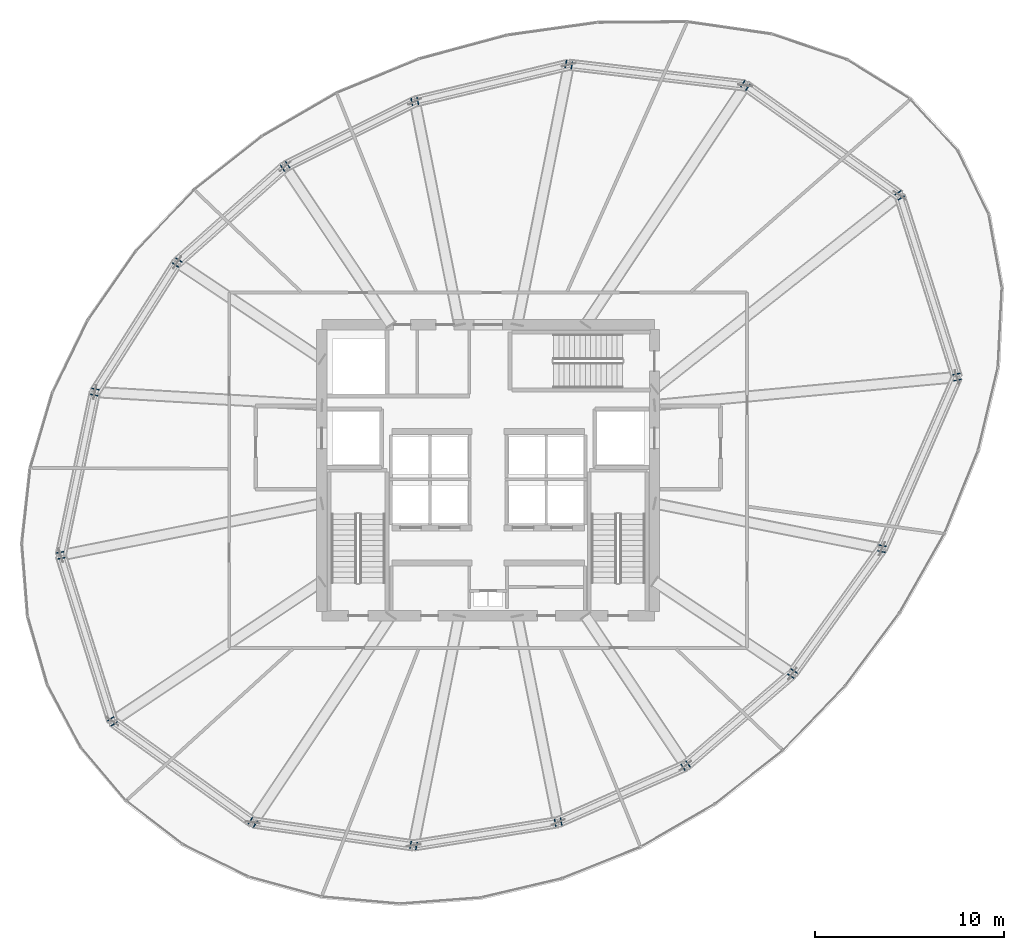
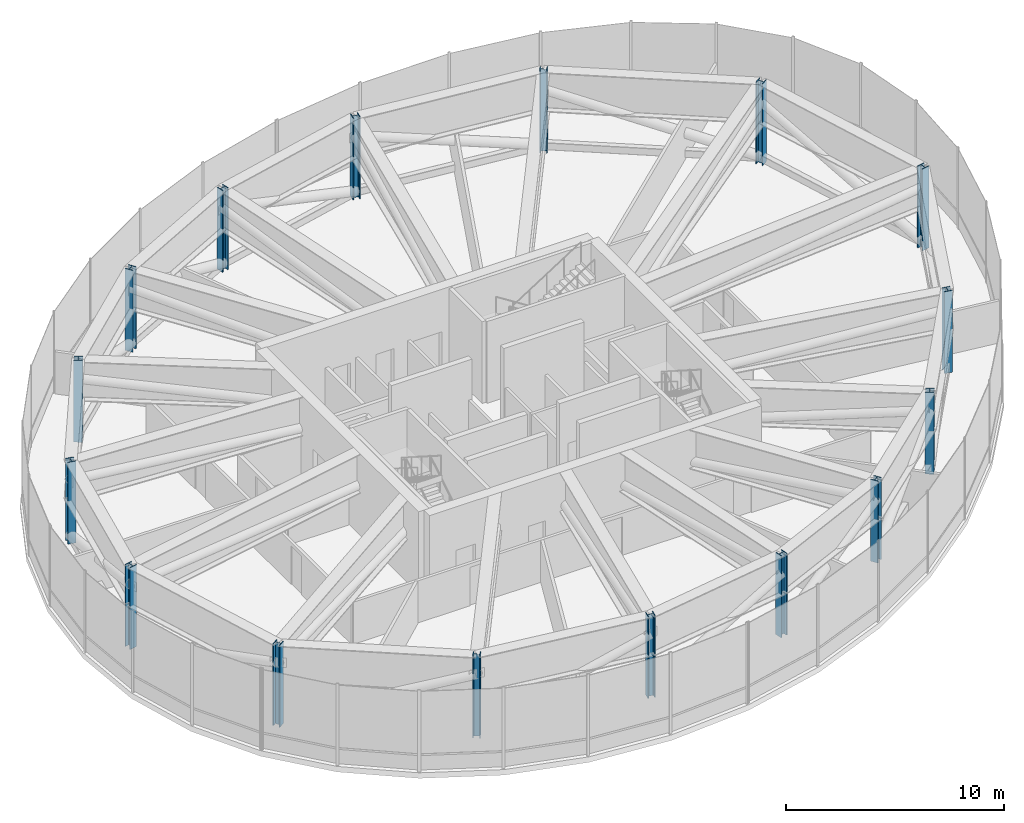
# One storey, part 1 of 30: 16 columns.
"""IFC4 building model written with IfcOpenShell, lengths in metres."""

from ifc_helpers import new_model, si_unit, direction, frame, origin, origin_2d, place, context, subcontext, project, spatial, i_section, extrude, source, transform, mapped, material, material_profile, profile_set, type_object, element, save


model = new_model("IFC4")

# Units and contexts
model_context = context("Model", 3, precision=1e-05, world=origin(), true_north=direction((0.0, 1.0)))
body_context = subcontext(model_context, "Body", "Model", "MODEL_VIEW")
ifc_project = project(units=[si_unit("LENGTHUNIT", "METRE"), si_unit("AREAUNIT", "SQUARE_METRE"), si_unit("VOLUMEUNIT", "CUBIC_METRE"), si_unit("PLANEANGLEUNIT", "RADIAN"), si_unit("MASSUNIT", "GRAM", prefix="KILO"), si_unit("THERMODYNAMICTEMPERATUREUNIT", "KELVIN")], contexts=[model_context])

# Site, building, storey
site_placement = place(None, origin())
site = spatial("IfcSite", under=ifc_project, at=site_placement, CompositionType="ELEMENT")
building_placement = place(site_placement, origin())
building = spatial("IfcBuilding", under=site, at=building_placement, Name="Kethvar Cultural Tower", CompositionType="ELEMENT")
storey_placement = place(building_placement, frame((0.0, 0.0, 171.39990234375)))
storey = spatial("IfcBuildingStorey", under=building, at=storey_placement, Name="L44", CompositionType="ELEMENT", Elevation=171.39990234375)

# Columns
ifc_material = material(Name="Steel S460M", Category="steel")
ifc_material_profile = material_profile(ifc_material, i_section(OverallWidth=0.39697265625, OverallDepth=0.364990234375, WebThickness=0.028076171875, FlangeThickness=0.0439453125, FilletRadius=0.014892578125, at=origin_2d()), Name="Steel S460M — HD400x592")
ifc_profile_set = profile_set([ifc_material_profile], Name="Steel S460M — HD400x592")
column_type = type_object("IfcColumnType", Name="COL-HD592", PredefinedType="COLUMN", material=ifc_profile_set)
shared_shape = source(origin(), body_context, "Body", "SweptSolid", [
    extrude(i_section(OverallWidth=0.39697265625, OverallDepth=0.364990234375, WebThickness=0.028076171875, FlangeThickness=0.0439453125, FilletRadius=0.014892578125, at=origin_2d()), origin(), (0.0, 0.0, 1.0), 4.580078125),
])
for number, where, z_axis, x_axis, name in (
    (1, (71.6025390625, 32.7333984375, 0.0), (0.0, 0.0, 1.0), (0.980785280403, 0.195090322016, 0.0), "L44 Mega-Column MC-01"),
    (2, (68.568603515625, 42.34521484375, 0.0), (0.0, 0.0, 1.0), (0.831469612303, 0.55557023302, 0.0), "L44 Mega-Column MC-02"),
    (3, (60.40478515625, 48.160888671875, 0.0), (0.0, 0.0, 1.0), (0.55557023302, 0.831469612303, 0.0), "L44 Mega-Column MC-03"),
    (4, (51.068603515625, 49.25927734375, 0.0), (0.0, 0.0, 1.0), (0.195090322016, 0.980785280403, 0.0), "L44 Mega-Column MC-04"),
    (5, (42.9189453125, 47.311279296875, 0.0), (0.0, 0.0, 1.0), (-0.195090322016, 0.980785280403, 0.0), "L44 Mega-Column MC-05"),
    (6, (36.0576171875, 43.877197265625, 0.0), (0.0, 0.0, 1.0), (-0.55557023302, 0.831469612303, 0.0), "L44 Mega-Column MC-06"),
    (7, (30.345947265625, 38.794189453125, 0.0), (0.0, 0.0, 1.0), (-0.831469612303, 0.55557023302, 0.0), "L44 Mega-Column MC-07"),
    (8, (25.988525390625, 31.939697265625, 0.0), (0.0, 0.0, 1.0), (-0.980785280403, 0.195090322016, 0.0), "L44 Mega-Column MC-08"),
    (9, (24.185302734375, 23.3017578125, 0.0), (0.0, 0.0, 1.0), (-0.980785280403, -0.195090322016, 0.0), "L44 Mega-Column MC-09"),
    (10, (26.920654296875, 14.51708984375, 0.0), (0.0, 0.0, 1.0), (-0.831469612303, -0.55557023302, 0.0), "L44 Mega-Column MC-10"),
    (11, (34.350830078125, 9.16845703125, 0.0), (0.0, 0.0, 1.0), (-0.55557023302, -0.831469612303, 0.0), "L44 Mega-Column MC-11"),
    (12, (42.852294921875, 7.95361328125, 0.0), (0.0, 0.0, 1.0), (-0.195090322016, -0.980785280403, 0.0), "L44 Mega-Column MC-12"),
    (13, (50.50341796875, 9.182373046875, 0.0), (0.0, 0.0, 1.0), (0.195090322016, -0.980785280403, 0.0), "L44 Mega-Column MC-13"),
    (14, (57.241943359375, 12.17236328125, 0.0), (0.0, 0.0, 1.0), (0.55557023302, -0.831469612303, 0.0), "L44 Mega-Column MC-14"),
    (15, (62.898681640625, 17.043212890625, 0.0), (0.0, 0.0, 1.0), (0.831469612303, -0.55557023302, 0.0), "L44 Mega-Column MC-15"),
    (16, (67.638671875, 23.65478515625, 0.0), (0.0, 0.0, 1.0), (0.980785280403, -0.195090322016, 0.0), "L44 Mega-Column MC-16"),
):
    element("IfcColumn", number, at=place(storey_placement, frame(where, z_axis=z_axis, x_axis=x_axis)), inside=storey, type_object=column_type, Name=name, PredefinedType="COLUMN", context=body_context, shape_type="MappedRepresentation", body=[
        mapped(shared_shape, transform((0.0, 0.0, 0.0), scale=1.0)),
    ])

save(model, "model.ifc")
